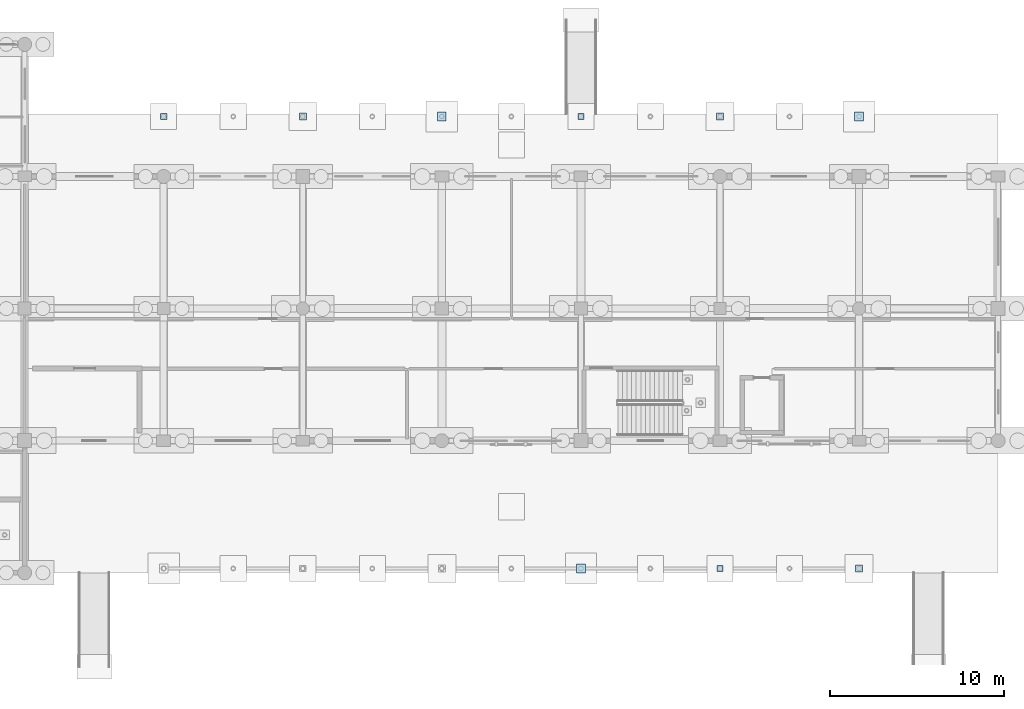
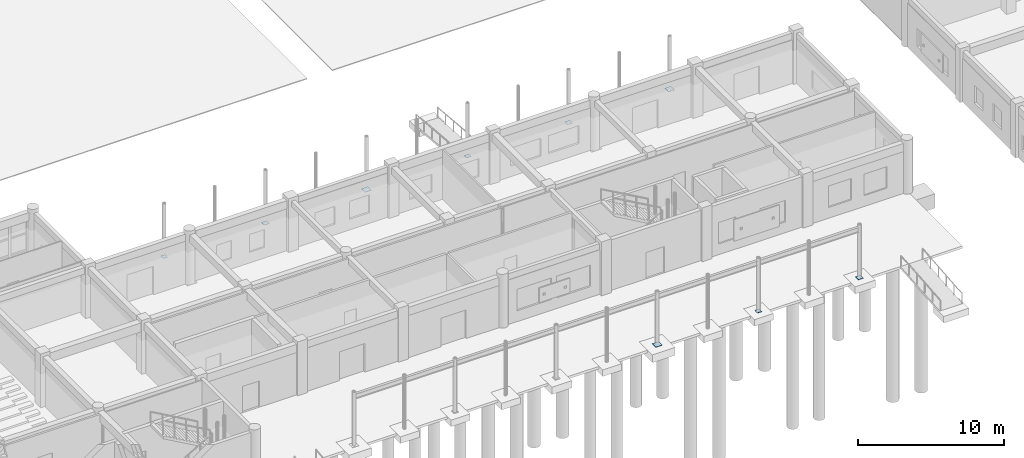
# One storey, part 120 of 166: 9 plates.
"""IFC4 building model written with IfcOpenShell, lengths in metres."""

from ifc_helpers import new_model, si_unit, direction, frame, origin, origin_2d, place, context, subcontext, project, spatial, rectangle, extrude, material, type_object, element, save


model = new_model("IFC4")

# Units and contexts
model_context = context("Model", 3, precision=1e-05, world=origin(), true_north=direction((0.0, 1.0)))
body_context = subcontext(model_context, "Body", "Model", "MODEL_VIEW")
ifc_project = project(units=[si_unit("LENGTHUNIT", "METRE"), si_unit("AREAUNIT", "SQUARE_METRE"), si_unit("VOLUMEUNIT", "CUBIC_METRE"), si_unit("PLANEANGLEUNIT", "RADIAN"), si_unit("MASSUNIT", "GRAM", prefix="KILO")], contexts=[model_context])

# Site, building, storey
site_placement = place(None, origin())
site = spatial("IfcSite", under=ifc_project, at=site_placement, CompositionType="ELEMENT")
building_placement = place(site_placement, origin())
building = spatial("IfcBuilding", under=site, at=building_placement, Name="Kharva Crest Polytechnic", CompositionType="ELEMENT")
storey_placement = place(building_placement, origin())
storey = spatial("IfcBuildingStorey", under=building, at=storey_placement, Name="L00", CompositionType="ELEMENT", Elevation=0.0)

# Plates
ifc_material = material(Name="Steel S355", Category="steel")
plate_type_1 = type_object("IfcPlateType", Name="PLT-BASE-360X360X20", PredefinedType="USERDEFINED", material=ifc_material)
for number, where, z_axis, x_axis, name in (
    (1, (64.0, 26.25, 0.0009765625), (0.0, 0.0, 1.0), (1.0, 0.0, 0.0), "L00 Colonnade Base Plate VS01"),
    (2, (88.0, 26.25, 0.0009765625), (0.0, 0.0, 1.0), (1.0, 0.0, 0.0), "L00 Colonnade Base Plate VS04"),
    (3, (96.0, 0.25, 0.0009765625), (0.0, 0.0, 1.0), (1.0, 0.0, 0.0), "L00 Colonnade Base Plate AS05"),
):
    element("IfcPlate", number, at=place(storey_placement, frame(where, z_axis=z_axis, x_axis=x_axis)), inside=storey, type_object=plate_type_1, Name=name, ObjectType="BASE PLATE", PredefinedType="USERDEFINED", context=body_context, shape_type="SweptSolid", body=[
        extrude(rectangle(XDim=0.360107421875, YDim=0.360107421875, at=origin_2d()), origin(), (0.0, 0.0, 1.0), 0.02001953125),
    ])
plate_type_2 = type_object("IfcPlateType", Name="PLT-BASE-400X400X22", PredefinedType="USERDEFINED", material=ifc_material)
for number, where, z_axis, x_axis, name in (
    (4, (72.0, 26.25, 0.0), (0.0, 0.0, 1.0), (1.0, 0.0, 0.0), "L00 Colonnade Base Plate VS02"),
    (5, (96.0, 26.25, 0.0), (0.0, 0.0, 1.0), (1.0, 0.0, 0.0), "L00 Colonnade Base Plate VS05"),
    (6, (104.0, 0.25, 0.0), (0.0, 0.0, 1.0), (1.0, 0.0, 0.0), "L00 Colonnade Base Plate AS06"),
):
    element("IfcPlate", number, at=place(storey_placement, frame(where, z_axis=z_axis, x_axis=x_axis)), inside=storey, type_object=plate_type_2, Name=name, ObjectType="BASE PLATE", PredefinedType="USERDEFINED", context=body_context, shape_type="SweptSolid", body=[
        extrude(rectangle(XDim=0.39990234375, YDim=0.39990234375, at=origin_2d()), origin(), (0.0, 0.0, 1.0), 0.02197265625),
    ])
plate_type_3 = type_object("IfcPlateType", Name="PLT-BASE-500X500X25", PredefinedType="USERDEFINED", material=ifc_material)
for number, where, z_axis, x_axis, name in (
    (7, (80.0, 26.25, -0.00146484375), (0.0, 0.0, 1.0), (1.0, 0.0, 0.0), "L00 Colonnade Base Plate VS03"),
    (8, (88.0, 0.25, -0.00146484375), (0.0, 0.0, 1.0), (1.0, 0.0, 0.0), "L00 Colonnade Base Plate AS04"),
    (9, (104.0, 26.25, -0.00146484375), (0.0, 0.0, 1.0), (1.0, 0.0, 0.0), "L00 Colonnade Base Plate VS06"),
):
    element("IfcPlate", number, at=place(storey_placement, frame(where, z_axis=z_axis, x_axis=x_axis)), inside=storey, type_object=plate_type_3, Name=name, ObjectType="BASE PLATE", PredefinedType="USERDEFINED", context=body_context, shape_type="SweptSolid", body=[
        extrude(rectangle(XDim=0.5, YDim=0.5, at=origin_2d()), origin(), (0.0, 0.0, 1.0), 0.02490234375),
    ])

save(model, "model.ifc")
